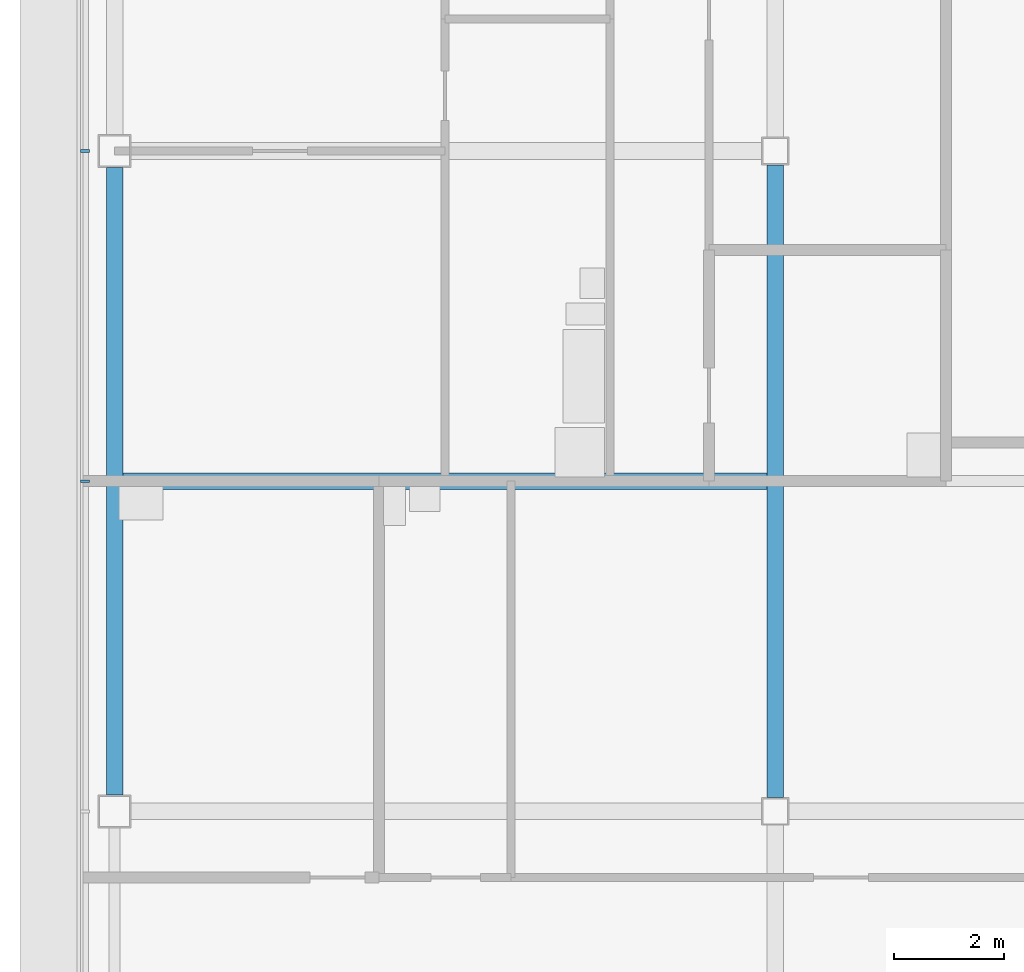
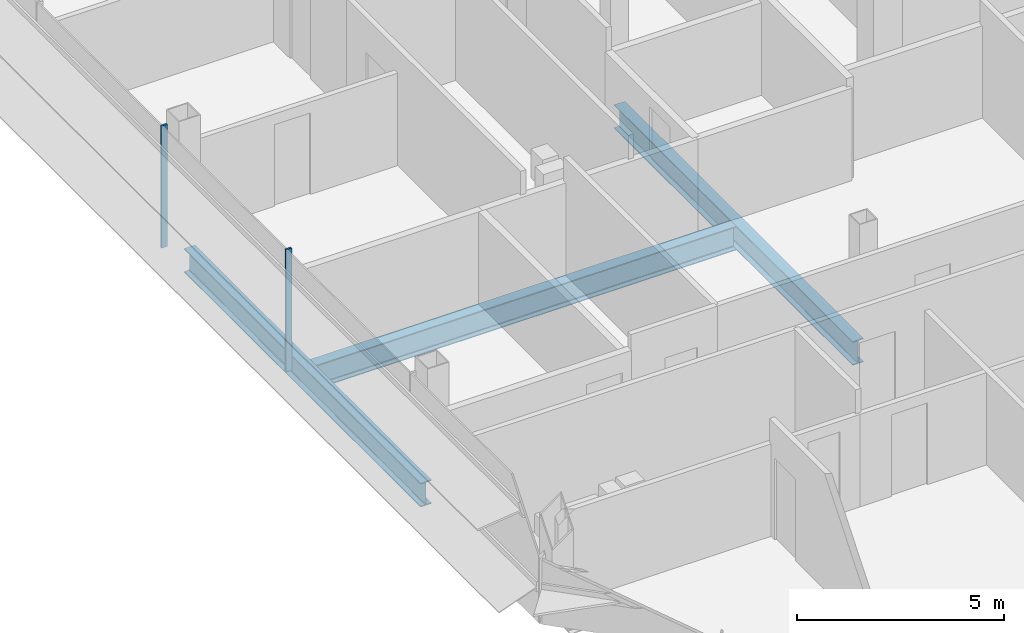
# One storey, part 6 of 30: 3 beams, 2 members, 1 element without a shape of its own.
"""IFC4 building model written with IfcOpenShell, lengths in metres."""

from ifc_helpers import new_model, si_unit, direction, frame, origin, origin_2d, place, context, subcontext, project, spatial, rectangle, i_section, extrude, material, material_profile, profile_set, type_object, element, aggregate, save


model = new_model("IFC4")

# Units and contexts
model_context = context("Model", 3, precision=1e-05, world=origin(), true_north=direction((0.0, 1.0)))
body_context = subcontext(model_context, "Body", "Model", "MODEL_VIEW")
ifc_project = project(units=[si_unit("LENGTHUNIT", "METRE"), si_unit("AREAUNIT", "SQUARE_METRE"), si_unit("VOLUMEUNIT", "CUBIC_METRE"), si_unit("PLANEANGLEUNIT", "RADIAN"), si_unit("MASSUNIT", "GRAM", prefix="KILO")], contexts=[model_context])

# Site, building, storey
site_placement = place(None, origin())
site = spatial("IfcSite", under=ifc_project, at=site_placement, CompositionType="ELEMENT")
building_placement = place(site_placement, origin())
building = spatial("IfcBuilding", under=site, at=building_placement, Name="Sorahane Residences", CompositionType="ELEMENT")
storey_placement = place(building_placement, frame((0.0, 0.0, 263.0)))
storey = spatial("IfcBuildingStorey", under=building, at=storey_placement, Name="L62", CompositionType="ELEMENT", Elevation=263.0)

# Curtain wall, members
ifc_material_1 = material(Name="Dark low-e glass and black anodised aluminium", Category="aluminium")
curtain_wall_type = type_object("IfcCurtainWallType", Name="Curtain wall CW-1 Typical unitised wall", PredefinedType="NOTDEFINED", material=ifc_material_1)
curtain_wall_placement = place(storey_placement, origin())
curtain_wall = element("IfcCurtainWall", 1, at=curtain_wall_placement, inside=storey, type_object=curtain_wall_type, Name="CW-1 curtain wall L62 W2", PredefinedType="NOTDEFINED")
ifc_material_2 = material(Name="Black anodised aluminium", Category="aluminium")
ifc_material_profile_1 = material_profile(ifc_material_2, rectangle(XDim=0.159912109375, YDim=0.050048828125, at=origin_2d()), Name="Curtain wall mullion CW-1 black anodised aluminium 50x160")
ifc_profile_set_1 = profile_set([ifc_material_profile_1], Name="Black anodised aluminium")
member_type = type_object("IfcMemberType", Name="Curtain wall mullion CW-1 black anodised aluminium 50x160", PredefinedType="MULLION", material=ifc_profile_set_1)
member_1_placement = place(storey_placement, frame((-12.5400390625, 24.0, -0.179931640625), z_axis=(0.0, 0.0, 1.0), x_axis=(-1.0, 0.0, 0.0)))
member_1 = element("IfcMember", 2, at=member_1_placement, type_object=member_type, Name="CW-1 mullion L62 W2.4", PredefinedType="MULLION", context=body_context, shape_type="SweptSolid", body=[
    extrude(rectangle(XDim=0.159912109375, YDim=0.050048828125, at=origin_2d()), origin(), (0.0, 0.0, 1.0), 3.599853515625),
])
member_2_placement = place(storey_placement, frame((-12.5400390625, 18.0, -0.179931640625), z_axis=(0.0, 0.0, 1.0), x_axis=(-1.0, 0.0, 0.0)))
member_2 = element("IfcMember", 3, at=member_2_placement, type_object=member_type, Name="CW-1 mullion L62 W2.5", PredefinedType="MULLION", context=body_context, shape_type="SweptSolid", body=[
    extrude(rectangle(XDim=0.159912109375, YDim=0.050048828125, at=origin_2d()), origin(), (0.0, 0.0, 1.0), 3.599853515625),
])
aggregate(curtain_wall, [member_1, member_2])

# Beams
ifc_material_3 = material(Name="Steel Q355B", Category="steel")
ifc_material_profile_2 = material_profile(ifc_material_3, i_section(OverallWidth=0.300048828125, OverallDepth=0.699951171875, WebThickness=0.012939453125, FlangeThickness=0.02392578125, FilletRadius=0.028076171875, at=origin_2d()), Name="HN 700x300x13x24")
ifc_profile_set_2 = profile_set([ifc_material_profile_2], Name="Steel Q355B")
beam_type = type_object("IfcBeamType", Name="Steel floor beam HN 700x300x13x24 Q355B", PredefinedType="BEAM", material=ifc_profile_set_2)
beam_1_placement = place(storey_placement, frame((-12.0, 12.300048828125, -0.530029296875), z_axis=(0.0, 1.0, 0.0), x_axis=(-1.0, 0.0, 0.0)))
element("IfcBeam", 4, at=beam_1_placement, inside=storey, type_object=beam_type, Name="Beam L62 020", PredefinedType="BEAM", context=body_context, shape_type="SweptSolid", body=[
    extrude(i_section(OverallWidth=0.300048828125, OverallDepth=0.699951171875, WebThickness=0.012939453125, FlangeThickness=0.02392578125, FilletRadius=0.028076171875, at=origin_2d()), origin(), (0.0, 0.0, 1.0), 11.39990234375),
])
beam_2_placement = place(storey_placement, frame((0.0, 12.25, -0.530029296875), z_axis=(0.0, 1.0, 0.0), x_axis=(-1.0, 0.0, 0.0)))
element("IfcBeam", 5, at=beam_2_placement, inside=storey, type_object=beam_type, Name="Beam L62 024", PredefinedType="BEAM", context=body_context, shape_type="SweptSolid", body=[
    extrude(i_section(OverallWidth=0.300048828125, OverallDepth=0.699951171875, WebThickness=0.012939453125, FlangeThickness=0.02392578125, FilletRadius=0.028076171875, at=origin_2d()), origin(), (0.0, 0.0, 1.0), 11.5),
])
beam_3_placement = place(storey_placement, frame((-11.85009765625, 18.0, -0.530029296875), z_axis=(1.0, 0.0, 0.0), x_axis=(0.0, 1.0, 0.0)))
element("IfcBeam", 6, at=beam_3_placement, inside=storey, type_object=beam_type, Name="Beam L62 073", PredefinedType="BEAM", context=body_context, shape_type="SweptSolid", body=[
    extrude(i_section(OverallWidth=0.300048828125, OverallDepth=0.699951171875, WebThickness=0.012939453125, FlangeThickness=0.02392578125, FilletRadius=0.028076171875, at=origin_2d()), origin(), (0.0, 0.0, 1.0), 11.7001953125),
])

save(model, "model.ifc")
